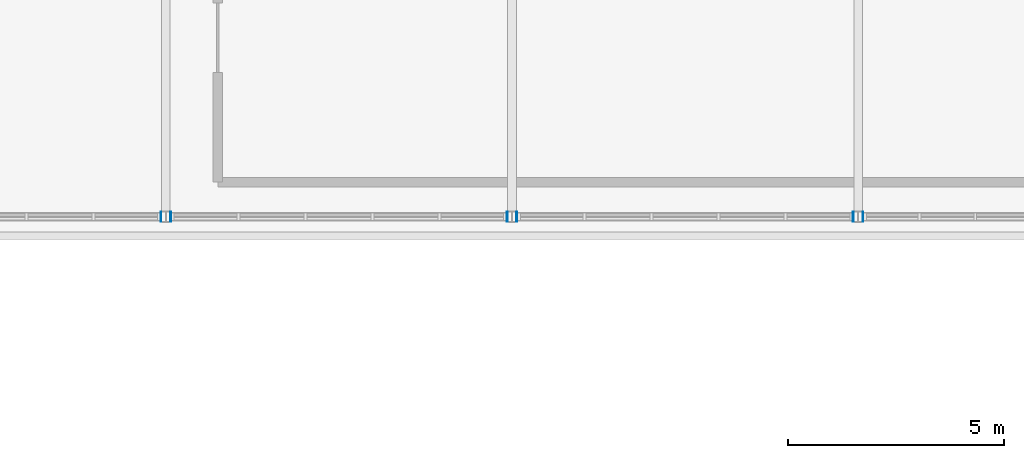
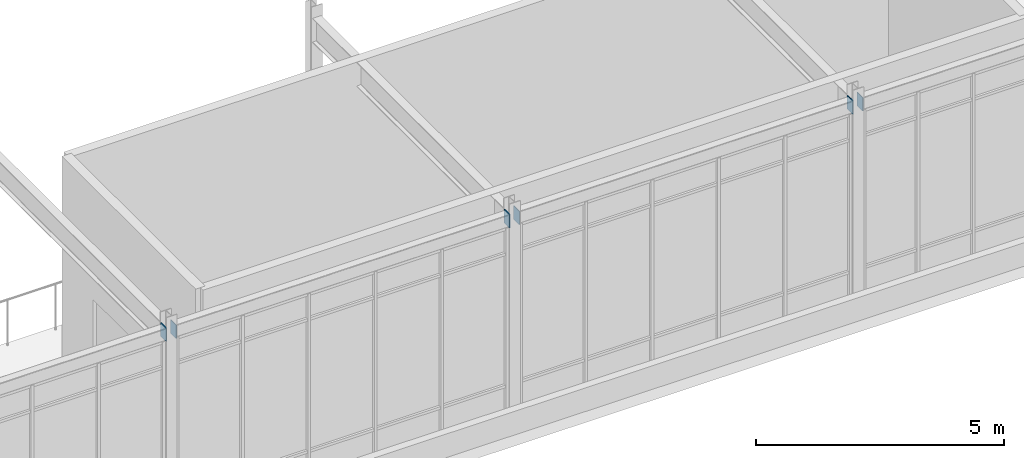
# One storey, part 147 of 184: 6 plates.
"""IFC4 building model written with IfcOpenShell, lengths in metres."""

from ifc_helpers import new_model, si_unit, direction, frame, origin, origin_2d, place, context, subcontext, project, spatial, rectangle, extrude, material, layer, layer_set, type_object, element, save


model = new_model("IFC4")

# Units and contexts
model_context = context("Model", 3, precision=1e-05, world=origin(), true_north=direction((0.0, 1.0)))
body_context = subcontext(model_context, "Body", "Model", "MODEL_VIEW")
ifc_project = project(units=[si_unit("LENGTHUNIT", "METRE"), si_unit("AREAUNIT", "SQUARE_METRE"), si_unit("VOLUMEUNIT", "CUBIC_METRE"), si_unit("PLANEANGLEUNIT", "RADIAN"), si_unit("MASSUNIT", "GRAM", prefix="KILO")], contexts=[model_context])

# Site, building, storey
site_placement = place(None, origin())
site = spatial("IfcSite", under=ifc_project, at=site_placement, CompositionType="ELEMENT")
building_placement = place(site_placement, origin())
building = spatial("IfcBuilding", under=site, at=building_placement, Name="Zhaolan Boulevard Law Courts", CompositionType="ELEMENT")
storey_placement = place(building_placement, frame((0.0, 0.0, 5.39990234375)))
storey = spatial("IfcBuildingStorey", under=building, at=storey_placement, Name="L01", CompositionType="ELEMENT", Elevation=5.39990234375)

# Plates
ifc_material = material(Name="Structural steel Q355B", Category="steel")
ifc_layer = layer(ifc_material, 0.02001953125)
ifc_layer_set = layer_set([ifc_layer])
plate_type = type_object("IfcPlateType", Name="END CAP PLATE 20", PredefinedType="SHEET", material=ifc_layer_set)
for number, where, z_axis, x_axis, name in (
    (1, (131.886962890625, 6.0, 4.802978515625), (0.0, 0.0, 1.0), (1.0, 0.0, 0.0), "Hollow Section End-Cap Plate ECP-0714"),
    (2, (132.113037109375, 6.0, 4.802978515625), (0.0, 0.0, 1.0), (1.0, 0.0, 0.0), "Hollow Section End-Cap Plate ECP-0715"),
    (3, (139.886962890625, 6.0, 4.802978515625), (0.0, 0.0, 1.0), (1.0, 0.0, 0.0), "Hollow Section End-Cap Plate ECP-0716"),
    (4, (140.113037109375, 6.0, 4.802978515625), (0.0, 0.0, 1.0), (1.0, 0.0, 0.0), "Hollow Section End-Cap Plate ECP-0717"),
    (5, (147.886962890625, 6.0, 4.802978515625), (0.0, 0.0, 1.0), (1.0, 0.0, 0.0), "Hollow Section End-Cap Plate ECP-0718"),
    (6, (148.113037109375, 6.0, 4.802978515625), (0.0, 0.0, 1.0), (1.0, 0.0, 0.0), "Hollow Section End-Cap Plate ECP-0719"),
):
    element("IfcPlate", number, at=place(storey_placement, frame(where, z_axis=z_axis, x_axis=x_axis)), inside=storey, type_object=plate_type, Name=name, PredefinedType="SHEET", context=body_context, shape_type="SweptSolid", body=[
        extrude(rectangle(XDim=0.02001953125, YDim=0.22998046875, at=origin_2d()), origin(), (0.0, 0.0, 1.0), 0.330078125),
    ])

save(model, "model.ifc")
